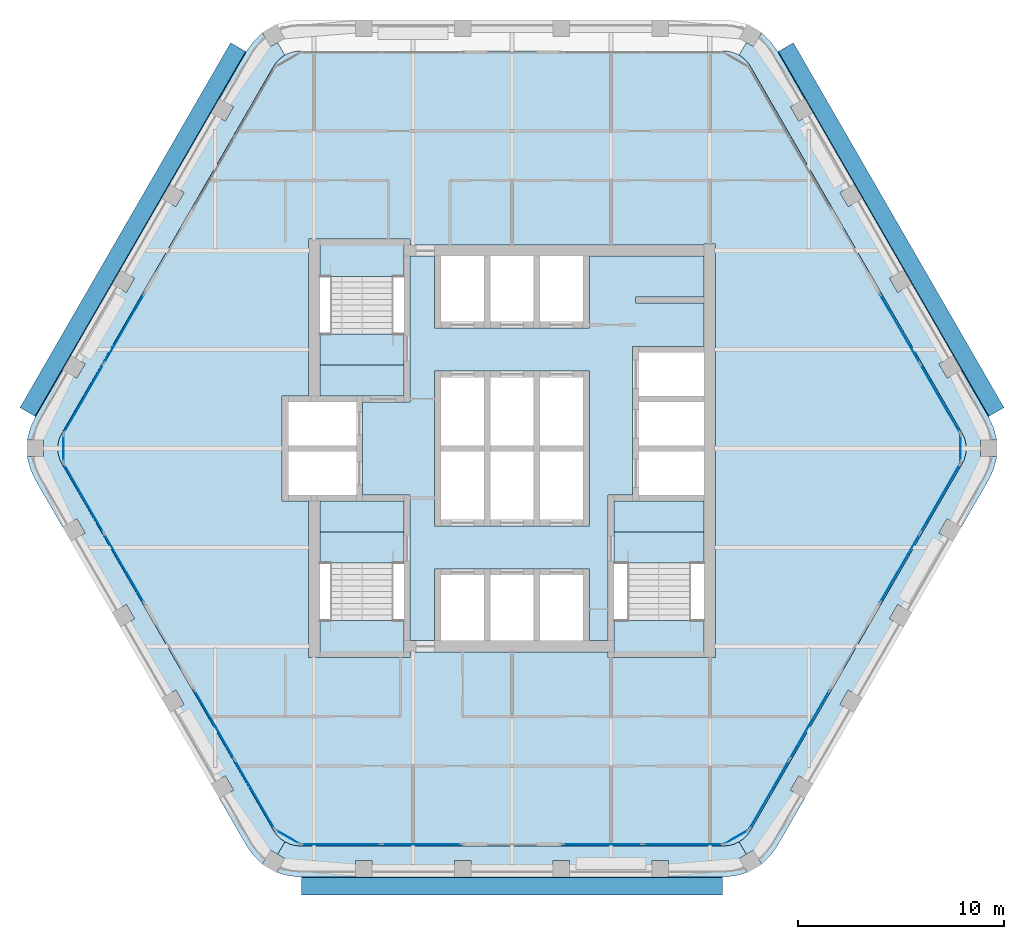
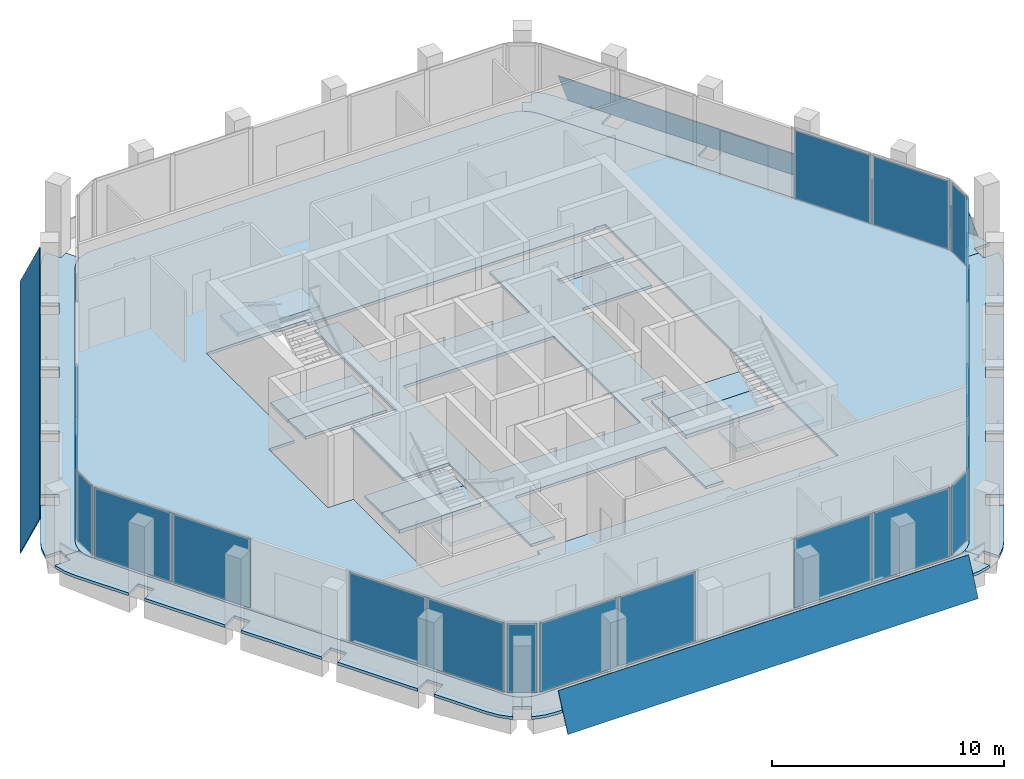
# One storey, part 6 of 13: 23 plates, 16 slabs, 15 elements without a shape of their own.
"""IFC4 building model written with IfcOpenShell, lengths in metres."""

from ifc_helpers import new_model, si_unit, direction, frame, origin, origin_2d, place, context, subcontext, project, spatial, polyline, rectangle, outline, extrude, material, layer, layer_set, type_object, element, aggregate, save


model = new_model("IFC4")

# Units and contexts
model_context = context("Model", 3, precision=1e-05, world=origin(), true_north=direction((0.0, 1.0)))
body_context = subcontext(model_context, "Body", "Model", "MODEL_VIEW")
ifc_project = project(units=[si_unit("LENGTHUNIT", "METRE"), si_unit("AREAUNIT", "SQUARE_METRE"), si_unit("VOLUMEUNIT", "CUBIC_METRE"), si_unit("PLANEANGLEUNIT", "RADIAN"), si_unit("MASSUNIT", "GRAM", prefix="KILO")], contexts=[model_context])

# Site, building, storey
site_placement = place(None, origin())
site = spatial("IfcSite", under=ifc_project, at=site_placement, CompositionType="ELEMENT")
building_placement = place(site_placement, origin())
building = spatial("IfcBuilding", under=site, at=building_placement, Name="Kolab Exchange Tower", CompositionType="ELEMENT")
storey_placement = place(building_placement, frame((0.0, 0.0, 289.10009765625)))
storey = spatial("IfcBuildingStorey", under=building, at=storey_placement, Name="L65", CompositionType="ELEMENT", Elevation=289.10009765625)

# Slabs
ifc_material_1 = material(Name="Concrete C35/45", Category="concrete")
ifc_layer_1 = layer(ifc_material_1, 0.14990234375)
ifc_layer_set_1 = layer_set([ifc_layer_1], Name="Concrete C35/45")
slab_type_1 = type_object("IfcSlabType", Name="FLOOR SLAB 150", PredefinedType="FLOOR", material=ifc_layer_set_1)
slab_1_placement = place(storey_placement, frame((0.0, 0.0, -0.150146484375)))
element("IfcSlab", 1, at=slab_1_placement, inside=storey, type_object=slab_type_1, Name="slab/L65/floor/0", PredefinedType="FLOOR", context=body_context, shape_type="SweptSolid", body=[
    extrude(outline(polyline([(11.56689453125, -18.53466796875), (21.8349609375, -0.75), (21.945556640625, -0.512939453125), (22.01318359375, -0.260498046875), (22.035888671875, 0.0), (22.01318359375, 0.260498046875), (21.945556640625, 0.512939453125), (21.8349609375, 0.75), (11.56689453125, 18.53466796875), (11.4169921875, 18.748779296875), (11.232177734375, 18.93359375), (11.01806640625, 19.083740234375), (10.781005859375, 19.194091796875), (10.5283203125, 19.26171875), (10.26806640625, 19.28466796875), (-10.26806640625, 19.28466796875), (-10.5283203125, 19.26171875), (-10.781005859375, 19.194091796875), (-11.01806640625, 19.083740234375), (-11.232177734375, 18.93359375), (-11.4169921875, 18.748779296875), (-11.56689453125, 18.53466796875), (-21.8349609375, 0.75), (-21.945556640625, 0.512939453125), (-22.01318359375, 0.260498046875), (-22.035888671875, 0.0), (-22.01318359375, -0.260498046875), (-21.945556640625, -0.512939453125), (-21.8349609375, -0.75), (-11.56689453125, -18.53466796875), (-11.4169921875, -18.748779296875), (-11.232177734375, -18.93359375), (-11.01806640625, -19.083740234375), (-10.781005859375, -19.194091796875), (-10.5283203125, -19.26171875), (-10.26806640625, -19.28466796875), (10.26806640625, -19.28466796875), (10.5283203125, -19.26171875), (10.781005859375, -19.194091796875), (11.01806640625, -19.083740234375), (11.232177734375, -18.93359375), (11.4169921875, -18.748779296875), (11.56689453125, -18.53466796875)]), holes=[polyline([(-9.324951171875, -10.14990234375), (-9.875, -10.14990234375), (-9.875, -2.550048828125), (-10.85009765625, -2.550048828125), (-11.14990234375, -2.550048828125), (-11.14990234375, 2.550048828125), (-10.85009765625, 2.550048828125), (-9.875, 2.550048828125), (-9.875, 10.14990234375), (-9.324951171875, 10.14990234375), (-5.25, 10.14990234375), (-4.949951171875, 10.14990234375), (-4.949951171875, 9.875), (9.324951171875, 9.875), (9.324951171875, 9.925048828125), (9.875, 9.925048828125), (9.875, -10.14990234375), (9.324951171875, -10.14990234375), (4.949951171875, -10.14990234375), (4.64990234375, -10.14990234375), (4.64990234375, -9.875), (-4.949951171875, -9.875), (-4.949951171875, -10.14990234375), (-5.25, -10.14990234375), (-9.324951171875, -10.14990234375)])]), origin(), (0.0, 0.0, 1.0), 0.150146484375),
])
slab_2_placement = place(storey_placement, frame((0.0, 0.0, -0.150146484375)))
element("IfcSlab", 2, at=slab_2_placement, inside=storey, type_object=slab_type_1, Name="slab/L65/floor/1", PredefinedType="FLOOR", context=body_context, shape_type="SweptSolid", body=[
    extrude(outline(polyline([(-4.949951171875, 9.324951171875), (-4.949951171875, 2.25), (-5.25, 2.25), (-7.25, 2.25), (-7.25, -2.25), (-5.25, -2.25), (-4.949951171875, -2.25), (-4.949951171875, -9.324951171875), (-3.75, -9.324951171875), (-3.75, -5.85009765625), (-3.449951171875, -5.85009765625), (-1.35009765625, -5.85009765625), (-1.050048828125, -5.85009765625), (1.050048828125, -5.85009765625), (1.35009765625, -5.85009765625), (3.449951171875, -5.85009765625), (3.75, -5.85009765625), (3.75, -9.324951171875), (4.64990234375, -9.324951171875), (4.64990234375, -2.25), (4.949951171875, -2.25), (5.85009765625, -2.25), (5.85009765625, 4.949951171875), (6.14990234375, 4.949951171875), (9.324951171875, 4.949951171875), (9.324951171875, 7.050048828125), (6.0, 7.050048828125), (6.0, 7.35009765625), (9.324951171875, 7.35009765625), (9.324951171875, 9.324951171875), (3.75, 9.324951171875), (3.75, 5.85009765625), (3.449951171875, 5.85009765625), (1.35009765625, 5.85009765625), (1.050048828125, 5.85009765625), (-1.050048828125, 5.85009765625), (-1.35009765625, 5.85009765625), (-3.449951171875, 5.85009765625), (-3.75, 5.85009765625), (-3.75, 9.324951171875), (-4.949951171875, 9.324951171875)]), holes=[polyline([(-3.449951171875, -3.75), (-3.75, -3.75), (-3.75, 3.75), (-3.449951171875, 3.75), (-1.35009765625, 3.75), (-1.050048828125, 3.75), (1.050048828125, 3.75), (1.35009765625, 3.75), (3.449951171875, 3.75), (3.75, 3.75), (3.75, -3.75), (3.449951171875, -3.75), (1.35009765625, -3.75), (1.050048828125, -3.75), (-1.050048828125, -3.75), (-1.35009765625, -3.75), (-3.449951171875, -3.75)])]), origin(), (0.0, 0.0, 1.0), 0.150146484375),
])
slab_3_placement = place(storey_placement, frame((0.0, 0.0, -0.150146484375)))
element("IfcSlab", 3, at=slab_3_placement, inside=storey, type_object=slab_type_1, Name="slab/L65/floor/2", PredefinedType="FLOOR", context=body_context, shape_type="SweptSolid", body=[
    extrude(outline(polyline([(4.949951171875, -2.550048828125), (4.949951171875, -4.050048828125), (9.324951171875, -4.050048828125), (9.324951171875, -2.550048828125), (6.14990234375, -2.550048828125), (5.85009765625, -2.550048828125), (4.949951171875, -2.550048828125)])), origin(), (0.0, 0.0, 1.0), 0.150146484375),
])
slab_4_placement = place(storey_placement, frame((0.0, 0.0, -0.150146484375)))
element("IfcSlab", 4, at=slab_4_placement, inside=storey, type_object=slab_type_1, Name="slab/L65/floor/3", PredefinedType="FLOOR", context=body_context, shape_type="SweptSolid", body=[
    extrude(outline(polyline([(-7.550048828125, -2.550048828125), (-9.324951171875, -2.550048828125), (-9.324951171875, -4.050048828125), (-5.25, -4.050048828125), (-5.25, -2.550048828125), (-7.25, -2.550048828125), (-7.550048828125, -2.550048828125)])), origin(), (0.0, 0.0, 1.0), 0.150146484375),
])
slab_5_placement = place(storey_placement, frame((0.0, 0.0, -0.150146484375)))
element("IfcSlab", 5, at=slab_5_placement, inside=storey, type_object=slab_type_1, Name="slab/L65/floor/4", PredefinedType="FLOOR", context=body_context, shape_type="SweptSolid", body=[
    extrude(outline(polyline([(-9.324951171875, 4.050048828125), (-9.324951171875, 2.550048828125), (-7.550048828125, 2.550048828125), (-7.25, 2.550048828125), (-5.25, 2.550048828125), (-5.25, 4.050048828125), (-9.324951171875, 4.050048828125)])), origin(), (0.0, 0.0, 1.0), 0.150146484375),
])
ifc_layer_2 = layer(ifc_material_1, 0.14990234375)
ifc_layer_set_2 = layer_set([ifc_layer_2], Name="Concrete C35/45")
slab_type_2 = type_object("IfcSlabType", Name="LOGGIA SLAB 150", PredefinedType="FLOOR", material=ifc_layer_set_2)
slab_6_placement = place(storey_placement, frame((0.0, 0.0, -0.150146484375)))
element("IfcSlab", 6, at=slab_6_placement, inside=storey, type_object=slab_type_2, Name="slab/L65/loggia/1-0", PredefinedType="FLOOR", context=body_context, shape_type="SweptSolid", body=[
    extrude(outline(polyline([(22.035888671875, 0.0), (22.73583984375, 0.0), (22.73583984375, 0.39990234375), (23.5009765625, 0.39990234375), (23.490234375, 0.52099609375), (23.35498046875, 1.026123046875), (23.134033203125, 1.5), (21.800048828125, 3.810546875), (21.107177734375, 3.410400390625), (20.707275390625, 4.103271484375), (21.39990234375, 4.50341796875), (19.39990234375, 7.967529296875), (18.707275390625, 7.5673828125), (18.30712890625, 8.26025390625), (19.0, 8.66015625), (17.0, 12.124267578125), (16.30712890625, 11.724365234375), (15.9072265625, 12.417236328125), (16.60009765625, 12.817138671875), (14.60009765625, 16.28125), (13.9072265625, 15.88134765625), (13.507080078125, 16.57421875), (14.199951171875, 16.97412109375), (12.865966796875, 19.28466796875), (12.566162109375, 19.712890625), (12.1962890625, 20.082763671875), (12.096923828125, 20.15234375), (11.71435546875, 19.48974609375), (11.367919921875, 19.68994140625), (11.01806640625, 19.083740234375), (11.232177734375, 18.93359375), (11.4169921875, 18.748779296875), (11.56689453125, 18.53466796875), (21.8349609375, 0.75), (21.945556640625, 0.512939453125), (22.01318359375, 0.260498046875), (22.035888671875, 0.0)])), origin(), (0.0, 0.0, 1.0), 0.150146484375),
])
slab_7_placement = place(storey_placement, frame((0.0, 0.0, -0.150146484375)))
element("IfcSlab", 7, at=slab_7_placement, inside=storey, type_object=slab_type_2, Name="slab/L65/loggia/2-0", PredefinedType="FLOOR", context=body_context, shape_type="SweptSolid", body=[
    extrude(outline(polyline([(12.865966796875, -19.28466796875), (14.199951171875, -16.97412109375), (13.507080078125, -16.57421875), (13.9072265625, -15.88134765625), (14.60009765625, -16.28125), (16.60009765625, -12.817138671875), (15.9072265625, -12.417236328125), (16.30712890625, -11.724365234375), (17.0, -12.124267578125), (19.0, -8.66015625), (18.30712890625, -8.26025390625), (18.707275390625, -7.5673828125), (19.39990234375, -7.967529296875), (21.39990234375, -4.50341796875), (20.707275390625, -4.103271484375), (21.107177734375, -3.410400390625), (21.800048828125, -3.810546875), (23.134033203125, -1.5), (23.35498046875, -1.026123046875), (23.490234375, -0.52099609375), (23.5009765625, -0.39990234375), (22.73583984375, -0.39990234375), (22.73583984375, 0.0), (22.035888671875, 0.0), (22.01318359375, -0.260498046875), (21.945556640625, -0.512939453125), (21.8349609375, -0.75), (11.56689453125, -18.53466796875), (11.4169921875, -18.748779296875), (11.232177734375, -18.93359375), (11.01806640625, -19.083740234375), (11.367919921875, -19.68994140625), (11.71435546875, -19.48974609375), (12.096923828125, -20.15234375), (12.1962890625, -20.082763671875), (12.566162109375, -19.712890625), (12.865966796875, -19.28466796875)])), origin(), (0.0, 0.0, 1.0), 0.150146484375),
])
slab_8_placement = place(storey_placement, frame((0.0, 0.0, -0.150146484375)))
element("IfcSlab", 8, at=slab_8_placement, inside=storey, type_object=slab_type_2, Name="slab/L65/loggia/3-0", PredefinedType="FLOOR", context=body_context, shape_type="SweptSolid", body=[
    extrude(outline(polyline([(-11.01806640625, -19.083740234375), (-11.367919921875, -19.68994140625), (-11.021484375, -19.889892578125), (-11.404052734375, -20.552490234375), (-11.2939453125, -20.603759765625), (-10.788818359375, -20.739013671875), (-10.26806640625, -20.78466796875), (-7.60009765625, -20.78466796875), (-7.60009765625, -19.984619140625), (-6.800048828125, -19.984619140625), (-6.800048828125, -20.78466796875), (-2.800048828125, -20.78466796875), (-2.800048828125, -19.984619140625), (-2.0, -19.984619140625), (-2.0, -20.78466796875), (2.0, -20.78466796875), (2.0, -19.984619140625), (2.800048828125, -19.984619140625), (2.800048828125, -20.78466796875), (6.800048828125, -20.78466796875), (6.800048828125, -19.984619140625), (7.60009765625, -19.984619140625), (7.60009765625, -20.78466796875), (10.26806640625, -20.78466796875), (10.788818359375, -20.739013671875), (11.2939453125, -20.603759765625), (11.404052734375, -20.552490234375), (11.021484375, -19.889892578125), (11.367919921875, -19.68994140625), (11.01806640625, -19.083740234375), (10.781005859375, -19.194091796875), (10.5283203125, -19.26171875), (10.26806640625, -19.28466796875), (-10.26806640625, -19.28466796875), (-10.5283203125, -19.26171875), (-10.781005859375, -19.194091796875), (-11.01806640625, -19.083740234375)])), origin(), (0.0, 0.0, 1.0), 0.150146484375),
])
slab_9_placement = place(storey_placement, frame((0.0, 0.0, -0.150146484375)))
element("IfcSlab", 9, at=slab_9_placement, inside=storey, type_object=slab_type_2, Name="slab/L65/loggia/4-0", PredefinedType="FLOOR", context=body_context, shape_type="SweptSolid", body=[
    extrude(outline(polyline([(-22.035888671875, 0.0), (-22.73583984375, 0.0), (-22.73583984375, -0.39990234375), (-23.5009765625, -0.39990234375), (-23.490234375, -0.52099609375), (-23.35498046875, -1.026123046875), (-23.134033203125, -1.5), (-21.800048828125, -3.810546875), (-21.107177734375, -3.410400390625), (-20.707275390625, -4.103271484375), (-21.39990234375, -4.50341796875), (-19.39990234375, -7.967529296875), (-18.707275390625, -7.5673828125), (-18.30712890625, -8.26025390625), (-19.0, -8.66015625), (-17.0, -12.124267578125), (-16.30712890625, -11.724365234375), (-15.9072265625, -12.417236328125), (-16.60009765625, -12.817138671875), (-14.60009765625, -16.28125), (-13.9072265625, -15.88134765625), (-13.507080078125, -16.57421875), (-14.199951171875, -16.97412109375), (-12.865966796875, -19.28466796875), (-12.566162109375, -19.712890625), (-12.1962890625, -20.082763671875), (-12.096923828125, -20.15234375), (-11.71435546875, -19.48974609375), (-11.367919921875, -19.68994140625), (-11.01806640625, -19.083740234375), (-11.232177734375, -18.93359375), (-11.4169921875, -18.748779296875), (-11.56689453125, -18.53466796875), (-21.8349609375, -0.75), (-21.945556640625, -0.512939453125), (-22.01318359375, -0.260498046875), (-22.035888671875, 0.0)])), origin(), (0.0, 0.0, 1.0), 0.150146484375),
])
slab_10_placement = place(storey_placement, frame((0.0, 0.0, -0.150146484375)))
element("IfcSlab", 10, at=slab_10_placement, inside=storey, type_object=slab_type_2, Name="slab/L65/loggia/5-0", PredefinedType="FLOOR", context=body_context, shape_type="SweptSolid", body=[
    extrude(outline(polyline([(-11.01806640625, 19.083740234375), (-11.367919921875, 19.68994140625), (-11.71435546875, 19.48974609375), (-12.096923828125, 20.15234375), (-12.1962890625, 20.082763671875), (-12.566162109375, 19.712890625), (-12.865966796875, 19.28466796875), (-14.199951171875, 16.97412109375), (-13.507080078125, 16.57421875), (-13.9072265625, 15.88134765625), (-14.60009765625, 16.28125), (-16.60009765625, 12.817138671875), (-15.9072265625, 12.417236328125), (-16.30712890625, 11.724365234375), (-17.0, 12.124267578125), (-19.0, 8.66015625), (-18.30712890625, 8.26025390625), (-18.707275390625, 7.5673828125), (-19.39990234375, 7.967529296875), (-21.39990234375, 4.50341796875), (-20.707275390625, 4.103271484375), (-21.107177734375, 3.410400390625), (-21.800048828125, 3.810546875), (-23.134033203125, 1.5), (-23.35498046875, 1.026123046875), (-23.490234375, 0.52099609375), (-23.5009765625, 0.39990234375), (-22.73583984375, 0.39990234375), (-22.73583984375, 0.0), (-22.035888671875, 0.0), (-22.01318359375, 0.260498046875), (-21.945556640625, 0.512939453125), (-21.8349609375, 0.75), (-11.56689453125, 18.53466796875), (-11.4169921875, 18.748779296875), (-11.232177734375, 18.93359375), (-11.01806640625, 19.083740234375)])), origin(), (0.0, 0.0, 1.0), 0.150146484375),
])

# Plates
ifc_material_2 = material(Name="Laminated glass, clear", Category="glass")
ifc_layer_3 = layer(ifc_material_2, 0.0400390625)
ifc_layer_set_3 = layer_set([ifc_layer_3], Name="Laminated glass, clear")
plate_type_1 = type_object("IfcPlateType", Name="OUTER SKIN LAMINATED GLASS SHEET 40", PredefinedType="SHEET", material=ifc_layer_set_3)
plate_1_placement = place(storey_placement, frame((13.6494140625, 19.67919921875, -0.68310546875), z_axis=(0.784867306279, 0.453141202853, 0.42266578027), x_axis=(0.499997422316, -0.866026892004, 1.98158e-06)))
element("IfcPlate", 11, at=plate_1_placement, inside=storey, type_object=plate_type_1, Name="Outer skin", PredefinedType="SHEET", context=body_context, shape_type="SweptSolid", body=[
    extrude(outline(polyline([(0.0, 0.0), (20.435802623779974, 0.0), (20.435856947346743, -1.9858686247089181), (-6.774611641384307e-05, -1.9859579901459246), (0.0, 0.0)])), origin(), (0.0, 0.0, -1.0), 0.0400390625),
])
plate_2_placement = place(storey_placement, frame((10.218017578125, -21.66015625, -0.68310546875), z_axis=(0.0, -0.906289895601, 0.422656627927), x_axis=(-1.0, 0.0, 0.0)))
element("IfcPlate", 12, at=plate_2_placement, inside=storey, type_object=plate_type_1, Name="Outer skin", PredefinedType="SHEET", context=body_context, shape_type="SweptSolid", body=[
    extrude(outline(polyline([(0.0, 0.0), (20.43603515625, 0.0), (20.43603515625, -1.9859039543914263), (0.0, -1.9859039543914263), (0.0, 0.0)])), origin(), (0.0, 0.0, -1.0), 0.0400390625),
])
plate_3_placement = place(storey_placement, frame((-23.8671875, 1.981201171875, -0.68310546875), z_axis=(-0.784867306279, 0.453141202853, 0.42266578027), x_axis=(0.499997422316, 0.866026892004, -1.98158e-06)))
element("IfcPlate", 13, at=plate_3_placement, inside=storey, type_object=plate_type_1, Name="Outer skin", PredefinedType="SHEET", context=body_context, shape_type="SweptSolid", body=[
    extrude(outline(polyline([(0.0, 0.0), (20.435802623779974, 0.0), (20.43587036989639, -1.9859579901459246), (-5.432356676878094e-05, -1.985868624708918), (0.0, 0.0)])), origin(), (0.0, 0.0, -1.0), 0.0400390625),
])

# Stair, slabs
ifc_material_3 = material(Name="Concrete C50/60", Category="concrete")
stair_type_1 = type_object("IfcStairType", Name="STAIR ST1 RISER 177.3", PredefinedType="HALF_TURN_STAIR", material=ifc_material_3)
stair_1_placement = place(storey_placement, origin())
stair_1 = element("IfcStair", 14, at=stair_1_placement, inside=storey, type_object=stair_type_1, Name="Stair 1", PredefinedType="HALF_TURN_STAIR")
ifc_layer_4 = layer(ifc_material_3, 0.199951171875)
ifc_layer_set_4 = layer_set([ifc_layer_4], Name="Concrete C50/60")
slab_type_3 = type_object("IfcSlabType", Name="STAIR LANDING 200", PredefinedType="LANDING", material=ifc_layer_set_4)
slab_11_placement = place(storey_placement, frame((0.0, 0.0, -0.2001953125)))
slab_11 = element("IfcSlab", 15, at=slab_11_placement, type_object=slab_type_3, Name="ST1 landing 1", PredefinedType="LANDING", context=body_context, shape_type="SweptSolid", body=[
    extrude(outline(polyline([(-9.324951171875, 4.050048828125), (-5.25, 4.050048828125), (-5.25, 5.550048828125), (-9.324951171875, 5.550048828125), (-9.324951171875, 4.050048828125)])), origin(), (0.0, 0.0, 1.0), 0.2001953125),
])
slab_12_placement = place(storey_placement, frame((0.0, 0.0, 1.75)))
slab_12 = element("IfcSlab", 16, at=slab_12_placement, type_object=slab_type_3, Name="ST1 landing 2", PredefinedType="LANDING", context=body_context, shape_type="SweptSolid", body=[
    extrude(outline(polyline([(-9.324951171875, 8.35009765625), (-5.25, 8.35009765625), (-5.25, 9.909912109375), (-9.324951171875, 9.909912109375), (-9.324951171875, 8.35009765625)])), origin(), (0.0, 0.0, 1.0), 0.199951171875),
])
aggregate(stair_1, [slab_11, slab_12])

stair_type_2 = type_object("IfcStairType", Name="STAIR ST3 RISER 177.3", PredefinedType="HALF_TURN_STAIR", material=ifc_material_3)
stair_2_placement = place(storey_placement, origin())
stair_2 = element("IfcStair", 17, at=stair_2_placement, inside=storey, type_object=stair_type_2, Name="Stair 3", PredefinedType="HALF_TURN_STAIR")
slab_13_placement = place(storey_placement, frame((0.0, 0.0, -0.2001953125)))
slab_13 = element("IfcSlab", 18, at=slab_13_placement, type_object=slab_type_3, Name="ST3 landing 1", PredefinedType="LANDING", context=body_context, shape_type="SweptSolid", body=[
    extrude(outline(polyline([(-9.324951171875, -5.550048828125), (-5.25, -5.550048828125), (-5.25, -4.050048828125), (-9.324951171875, -4.050048828125), (-9.324951171875, -5.550048828125)])), origin(), (0.0, 0.0, 1.0), 0.2001953125),
])
slab_14_placement = place(storey_placement, frame((0.0, 0.0, 1.75)))
slab_14 = element("IfcSlab", 19, at=slab_14_placement, type_object=slab_type_3, Name="ST3 landing 2", PredefinedType="LANDING", context=body_context, shape_type="SweptSolid", body=[
    extrude(outline(polyline([(-9.324951171875, -9.909912109375), (-5.25, -9.909912109375), (-5.25, -8.35009765625), (-9.324951171875, -8.35009765625), (-9.324951171875, -9.909912109375)])), origin(), (0.0, 0.0, 1.0), 0.199951171875),
])
aggregate(stair_2, [slab_13, slab_14])

stair_type_3 = type_object("IfcStairType", Name="STAIR ST2 RISER 177.3", PredefinedType="HALF_TURN_STAIR", material=ifc_material_3)
stair_3_placement = place(storey_placement, origin())
stair_3 = element("IfcStair", 20, at=stair_3_placement, inside=storey, type_object=stair_type_3, Name="Stair 2", PredefinedType="HALF_TURN_STAIR")
slab_15_placement = place(storey_placement, frame((0.0, 0.0, -0.2001953125)))
slab_15 = element("IfcSlab", 21, at=slab_15_placement, type_object=slab_type_3, Name="ST2 landing 1", PredefinedType="LANDING", context=body_context, shape_type="SweptSolid", body=[
    extrude(outline(polyline([(4.949951171875, -5.550048828125), (9.324951171875, -5.550048828125), (9.324951171875, -4.050048828125), (4.949951171875, -4.050048828125), (4.949951171875, -5.550048828125)])), origin(), (0.0, 0.0, 1.0), 0.2001953125),
])
slab_16_placement = place(storey_placement, frame((0.0, 0.0, 1.75)))
slab_16 = element("IfcSlab", 22, at=slab_16_placement, type_object=slab_type_3, Name="ST2 landing 2", PredefinedType="LANDING", context=body_context, shape_type="SweptSolid", body=[
    extrude(outline(polyline([(4.949951171875, -9.909912109375), (9.324951171875, -9.909912109375), (9.324951171875, -8.35009765625), (4.949951171875, -8.35009765625), (4.949951171875, -9.909912109375)])), origin(), (0.0, 0.0, 1.0), 0.199951171875),
])
aggregate(stair_3, [slab_15, slab_16])

# Curtain wall, plates
ifc_material_4 = material(Name="Aluminium EN AW-6063 T6", Category="aluminium")
curtain_wall_type = type_object("IfcCurtainWallType", Name="UNITISED HIGH ZONE CURTAIN WALL", PredefinedType="NOTDEFINED", material=ifc_material_4)
curtain_wall_1_placement = place(storey_placement, origin())
curtain_wall_1 = element("IfcCurtainWall", 23, at=curtain_wall_1_placement, inside=storey, type_object=curtain_wall_type, Name="cw/L65/F2-2", PredefinedType="NOTDEFINED")
ifc_material_5 = material(Name="Clear insulated glazing unit", Category="glass")
ifc_layer_5 = layer(ifc_material_5, 0.030029296875)
ifc_layer_set_5 = layer_set([ifc_layer_5], Name="Clear insulated glazing unit")
plate_type_2 = type_object("IfcPlateType", Name="UNITISED HIGH ZONE GLASS PANEL 30", PredefinedType="CURTAIN_PANEL", material=ifc_layer_set_5)
plate_4_placement = place(storey_placement, frame((18.82275390625, 5.807373046875, 0.06005859375), z_axis=(0.0, 0.0, 1.0), x_axis=(0.499999936366, -0.866025440524, 0.0)))
plate_4 = element("IfcPlate", 24, at=plate_4_placement, type_object=plate_type_2, Name="CW4 panel 1.1", PredefinedType="CURTAIN_PANEL", context=body_context, shape_type="SweptSolid", body=[
    extrude(rectangle(XDim=3.843994140625, YDim=0.030029296875, at=origin_2d()), origin(), (0.0, 0.0, 1.0), 3.6298828125),
])
plate_5_placement = place(storey_placement, frame((20.774658203125, 2.426513671875, 0.06005859375), z_axis=(0.0, 0.0, 1.0), x_axis=(0.499999936366, -0.866025440524, 0.0)))
plate_5 = element("IfcPlate", 25, at=plate_5_placement, type_object=plate_type_2, Name="CW4 panel 2.1", PredefinedType="CURTAIN_PANEL", context=body_context, shape_type="SweptSolid", body=[
    extrude(rectangle(XDim=3.843994140625, YDim=0.030029296875, at=origin_2d()), origin(), (0.0, 0.0, 1.0), 3.6298828125),
])
aggregate(curtain_wall_1, [plate_4, plate_5])

curtain_wall_2_placement = place(storey_placement, origin())
curtain_wall_2 = element("IfcCurtainWall", 26, at=curtain_wall_2_placement, inside=storey, type_object=curtain_wall_type, Name="cw/L65/F3-1", PredefinedType="NOTDEFINED")
plate_6_placement = place(storey_placement, frame((20.774658203125, -2.426513671875, 0.06005859375), z_axis=(0.0, 0.0, 1.0), x_axis=(-0.499999936366, -0.866025440524, 0.0)))
plate_6 = element("IfcPlate", 27, at=plate_6_placement, type_object=plate_type_2, Name="CW4 panel 1.1", PredefinedType="CURTAIN_PANEL", context=body_context, shape_type="SweptSolid", body=[
    extrude(rectangle(XDim=3.843994140625, YDim=0.030029296875, at=origin_2d()), origin(), (0.0, 0.0, 1.0), 3.6298828125),
])
plate_7_placement = place(storey_placement, frame((18.82275390625, -5.807373046875, 0.06005859375), z_axis=(0.0, 0.0, 1.0), x_axis=(-0.499999936366, -0.866025440524, 0.0)))
plate_7 = element("IfcPlate", 28, at=plate_7_placement, type_object=plate_type_2, Name="CW4 panel 2.1", PredefinedType="CURTAIN_PANEL", context=body_context, shape_type="SweptSolid", body=[
    extrude(rectangle(XDim=3.843994140625, YDim=0.030029296875, at=origin_2d()), origin(), (0.0, 0.0, 1.0), 3.6298828125),
])
aggregate(curtain_wall_2, [plate_6, plate_7])

curtain_wall_3_placement = place(storey_placement, origin())
curtain_wall_3 = element("IfcCurtainWall", 29, at=curtain_wall_3_placement, inside=storey, type_object=curtain_wall_type, Name="cw/L65/F3-2", PredefinedType="NOTDEFINED")
plate_8_placement = place(storey_placement, frame((14.440673828125, -13.397216796875, 0.06005859375), z_axis=(0.0, 0.0, 1.0), x_axis=(-0.500000031681, -0.866025385493, 0.0)))
plate_8 = element("IfcPlate", 30, at=plate_8_placement, type_object=plate_type_2, Name="CW4 panel 1.1", PredefinedType="CURTAIN_PANEL", context=body_context, shape_type="SweptSolid", body=[
    extrude(rectangle(XDim=3.843994140625, YDim=0.030029296875, at=origin_2d()), origin(), (0.0, 0.0, 1.0), 3.6298828125),
])
plate_9_placement = place(storey_placement, frame((12.48876953125, -16.778076171875, 0.06005859375), z_axis=(0.0, 0.0, 1.0), x_axis=(-0.500000031681, -0.866025385493, 0.0)))
plate_9 = element("IfcPlate", 31, at=plate_9_placement, type_object=plate_type_2, Name="CW4 panel 2.1", PredefinedType="CURTAIN_PANEL", context=body_context, shape_type="SweptSolid", body=[
    extrude(rectangle(XDim=3.843994140625, YDim=0.030029296875, at=origin_2d()), origin(), (0.0, 0.0, 1.0), 3.6298828125),
])
aggregate(curtain_wall_3, [plate_8, plate_9])

curtain_wall_4_placement = place(storey_placement, origin())
curtain_wall_4 = element("IfcCurtainWall", 32, at=curtain_wall_4_placement, inside=storey, type_object=curtain_wall_type, Name="cw/L65/F4-1", PredefinedType="NOTDEFINED")
plate_10_placement = place(storey_placement, frame((8.285888671875, -19.20458984375, 0.06005859375), z_axis=(0.0, 0.0, 1.0), x_axis=(-1.0, 0.0, 0.0)))
plate_10 = element("IfcPlate", 33, at=plate_10_placement, type_object=plate_type_2, Name="CW4 panel 1.1", PredefinedType="CURTAIN_PANEL", context=body_context, shape_type="SweptSolid", body=[
    extrude(rectangle(XDim=3.843994140625, YDim=0.030029296875, at=origin_2d()), origin(), (0.0, 0.0, 1.0), 3.6298828125),
])
plate_11_placement = place(storey_placement, frame((4.382080078125, -19.20458984375, 0.06005859375), z_axis=(0.0, 0.0, 1.0), x_axis=(-1.0, 0.0, 0.0)))
plate_11 = element("IfcPlate", 34, at=plate_11_placement, type_object=plate_type_2, Name="CW4 panel 2.1", PredefinedType="CURTAIN_PANEL", context=body_context, shape_type="SweptSolid", body=[
    extrude(rectangle(XDim=3.843994140625, YDim=0.030029296875, at=origin_2d()), origin(), (0.0, 0.0, 1.0), 3.6298828125),
])
aggregate(curtain_wall_4, [plate_10, plate_11])

curtain_wall_5_placement = place(storey_placement, origin())
curtain_wall_5 = element("IfcCurtainWall", 35, at=curtain_wall_5_placement, inside=storey, type_object=curtain_wall_type, Name="cw/L65/F4-2", PredefinedType="NOTDEFINED")
plate_12_placement = place(storey_placement, frame((-4.382080078125, -19.20458984375, 0.06005859375), z_axis=(0.0, 0.0, 1.0), x_axis=(-1.0, 0.0, 0.0)))
plate_12 = element("IfcPlate", 36, at=plate_12_placement, type_object=plate_type_2, Name="CW4 panel 1.1", PredefinedType="CURTAIN_PANEL", context=body_context, shape_type="SweptSolid", body=[
    extrude(rectangle(XDim=3.843994140625, YDim=0.030029296875, at=origin_2d()), origin(), (0.0, 0.0, 1.0), 3.6298828125),
])
plate_13_placement = place(storey_placement, frame((-8.285888671875, -19.20458984375, 0.06005859375), z_axis=(0.0, 0.0, 1.0), x_axis=(-1.0, 0.0, 0.0)))
plate_13 = element("IfcPlate", 37, at=plate_13_placement, type_object=plate_type_2, Name="CW4 panel 2.1", PredefinedType="CURTAIN_PANEL", context=body_context, shape_type="SweptSolid", body=[
    extrude(rectangle(XDim=3.843994140625, YDim=0.030029296875, at=origin_2d()), origin(), (0.0, 0.0, 1.0), 3.6298828125),
])
aggregate(curtain_wall_5, [plate_12, plate_13])

curtain_wall_6_placement = place(storey_placement, origin())
curtain_wall_6 = element("IfcCurtainWall", 38, at=curtain_wall_6_placement, inside=storey, type_object=curtain_wall_type, Name="cw/L65/F5-1", PredefinedType="NOTDEFINED")
plate_14_placement = place(storey_placement, frame((-12.48876953125, -16.778076171875, 0.06005859375), z_axis=(0.0, 0.0, 1.0), x_axis=(-0.500000031681, 0.866025385493, 0.0)))
plate_14 = element("IfcPlate", 39, at=plate_14_placement, type_object=plate_type_2, Name="CW4 panel 1.1", PredefinedType="CURTAIN_PANEL", context=body_context, shape_type="SweptSolid", body=[
    extrude(rectangle(XDim=3.843994140625, YDim=0.030029296875, at=origin_2d()), origin(), (0.0, 0.0, 1.0), 3.6298828125),
])
plate_15_placement = place(storey_placement, frame((-14.440673828125, -13.397216796875, 0.06005859375), z_axis=(0.0, 0.0, 1.0), x_axis=(-0.500000031681, 0.866025385493, 0.0)))
plate_15 = element("IfcPlate", 40, at=plate_15_placement, type_object=plate_type_2, Name="CW4 panel 2.1", PredefinedType="CURTAIN_PANEL", context=body_context, shape_type="SweptSolid", body=[
    extrude(rectangle(XDim=3.843994140625, YDim=0.030029296875, at=origin_2d()), origin(), (0.0, 0.0, 1.0), 3.6298828125),
])
aggregate(curtain_wall_6, [plate_14, plate_15])

curtain_wall_7_placement = place(storey_placement, origin())
curtain_wall_7 = element("IfcCurtainWall", 41, at=curtain_wall_7_placement, inside=storey, type_object=curtain_wall_type, Name="cw/L65/F5-2", PredefinedType="NOTDEFINED")
plate_16_placement = place(storey_placement, frame((-18.82275390625, -5.807373046875, 0.06005859375), z_axis=(0.0, 0.0, 1.0), x_axis=(-0.499999936366, 0.866025440524, 0.0)))
plate_16 = element("IfcPlate", 42, at=plate_16_placement, type_object=plate_type_2, Name="CW4 panel 1.1", PredefinedType="CURTAIN_PANEL", context=body_context, shape_type="SweptSolid", body=[
    extrude(rectangle(XDim=3.843994140625, YDim=0.030029296875, at=origin_2d()), origin(), (0.0, 0.0, 1.0), 3.6298828125),
])
plate_17_placement = place(storey_placement, frame((-20.774658203125, -2.426513671875, 0.06005859375), z_axis=(0.0, 0.0, 1.0), x_axis=(-0.499999936366, 0.866025440524, 0.0)))
plate_17 = element("IfcPlate", 43, at=plate_17_placement, type_object=plate_type_2, Name="CW4 panel 2.1", PredefinedType="CURTAIN_PANEL", context=body_context, shape_type="SweptSolid", body=[
    extrude(rectangle(XDim=3.843994140625, YDim=0.030029296875, at=origin_2d()), origin(), (0.0, 0.0, 1.0), 3.6298828125),
])
aggregate(curtain_wall_7, [plate_16, plate_17])

curtain_wall_8_placement = place(storey_placement, origin())
curtain_wall_8 = element("IfcCurtainWall", 44, at=curtain_wall_8_placement, inside=storey, type_object=curtain_wall_type, Name="cw/L65/F6-1", PredefinedType="NOTDEFINED")
plate_18_placement = place(storey_placement, frame((-20.774658203125, 2.426513671875, 0.06005859375), z_axis=(0.0, 0.0, 1.0), x_axis=(0.499999936366, 0.866025440524, 0.0)))
plate_18 = element("IfcPlate", 45, at=plate_18_placement, type_object=plate_type_2, Name="CW4 panel 1.1", PredefinedType="CURTAIN_PANEL", context=body_context, shape_type="SweptSolid", body=[
    extrude(rectangle(XDim=3.843994140625, YDim=0.030029296875, at=origin_2d()), origin(), (0.0, 0.0, 1.0), 3.6298828125),
])
plate_19_placement = place(storey_placement, frame((-18.82275390625, 5.807373046875, 0.06005859375), z_axis=(0.0, 0.0, 1.0), x_axis=(0.499999936366, 0.866025440524, 0.0)))
plate_19 = element("IfcPlate", 46, at=plate_19_placement, type_object=plate_type_2, Name="CW4 panel 2.1", PredefinedType="CURTAIN_PANEL", context=body_context, shape_type="SweptSolid", body=[
    extrude(rectangle(XDim=3.843994140625, YDim=0.030029296875, at=origin_2d()), origin(), (0.0, 0.0, 1.0), 3.6298828125),
])
aggregate(curtain_wall_8, [plate_18, plate_19])

# Curtain wall, plate
curtain_wall_9_placement = place(storey_placement, origin())
curtain_wall_9 = element("IfcCurtainWall", 47, at=curtain_wall_9_placement, inside=storey, type_object=curtain_wall_type, Name="cw/L65/F2F3-corner", PredefinedType="NOTDEFINED")
plate_20_placement = place(storey_placement, frame((21.765625, 0.0, 0.06005859375), z_axis=(0.0, 0.0, 1.0), x_axis=(0.0, -1.0, 0.0)))
plate_20 = element("IfcPlate", 48, at=plate_20_placement, type_object=plate_type_2, Name="CW4 panel 1.1", PredefinedType="CURTAIN_PANEL", context=body_context, shape_type="SweptSolid", body=[
    extrude(rectangle(XDim=1.300048828125, YDim=0.030029296875, at=origin_2d()), origin(), (0.0, 0.0, 1.0), 3.6298828125),
])
aggregate(curtain_wall_9, [plate_20])

curtain_wall_10_placement = place(storey_placement, origin())
curtain_wall_10 = element("IfcCurtainWall", 49, at=curtain_wall_10_placement, inside=storey, type_object=curtain_wall_type, Name="cw/L65/F3F4-corner", PredefinedType="NOTDEFINED")
plate_21_placement = place(storey_placement, frame((10.8828125, -18.849609375, 0.06005859375), z_axis=(0.0, 0.0, 1.0), x_axis=(-0.866025390869, -0.50000002237, 0.0)))
plate_21 = element("IfcPlate", 50, at=plate_21_placement, type_object=plate_type_2, Name="CW4 panel 1.1", PredefinedType="CURTAIN_PANEL", context=body_context, shape_type="SweptSolid", body=[
    extrude(rectangle(XDim=1.300048828125, YDim=0.030029296875, at=origin_2d()), origin(), (0.0, 0.0, 1.0), 3.6298828125),
])
aggregate(curtain_wall_10, [plate_21])

curtain_wall_11_placement = place(storey_placement, origin())
curtain_wall_11 = element("IfcCurtainWall", 51, at=curtain_wall_11_placement, inside=storey, type_object=curtain_wall_type, Name="cw/L65/F4F5-corner", PredefinedType="NOTDEFINED")
plate_22_placement = place(storey_placement, frame((-10.8828125, -18.849609375, 0.06005859375), z_axis=(0.0, 0.0, 1.0), x_axis=(-0.866025390869, 0.50000002237, 0.0)))
plate_22 = element("IfcPlate", 52, at=plate_22_placement, type_object=plate_type_2, Name="CW4 panel 1.1", PredefinedType="CURTAIN_PANEL", context=body_context, shape_type="SweptSolid", body=[
    extrude(rectangle(XDim=1.300048828125, YDim=0.030029296875, at=origin_2d()), origin(), (0.0, 0.0, 1.0), 3.6298828125),
])
aggregate(curtain_wall_11, [plate_22])

curtain_wall_12_placement = place(storey_placement, origin())
curtain_wall_12 = element("IfcCurtainWall", 53, at=curtain_wall_12_placement, inside=storey, type_object=curtain_wall_type, Name="cw/L65/F5F6-corner", PredefinedType="NOTDEFINED")
plate_23_placement = place(storey_placement, frame((-21.765625, 0.0, 0.06005859375), z_axis=(0.0, 0.0, 1.0), x_axis=(0.0, 1.0, 0.0)))
plate_23 = element("IfcPlate", 54, at=plate_23_placement, type_object=plate_type_2, Name="CW4 panel 1.1", PredefinedType="CURTAIN_PANEL", context=body_context, shape_type="SweptSolid", body=[
    extrude(rectangle(XDim=1.300048828125, YDim=0.030029296875, at=origin_2d()), origin(), (0.0, 0.0, 1.0), 3.6298828125),
])
aggregate(curtain_wall_12, [plate_23])

save(model, "model.ifc")
